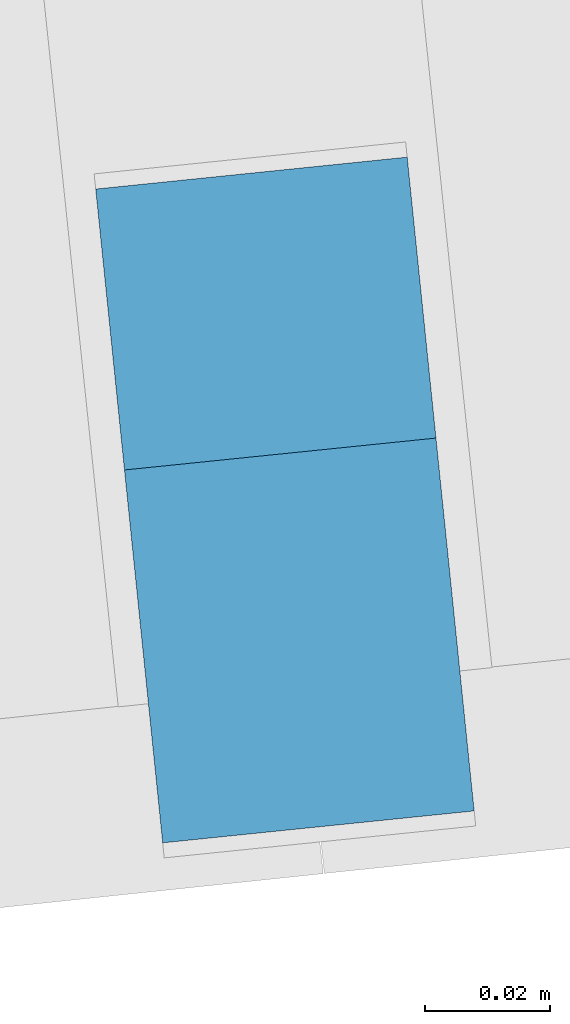
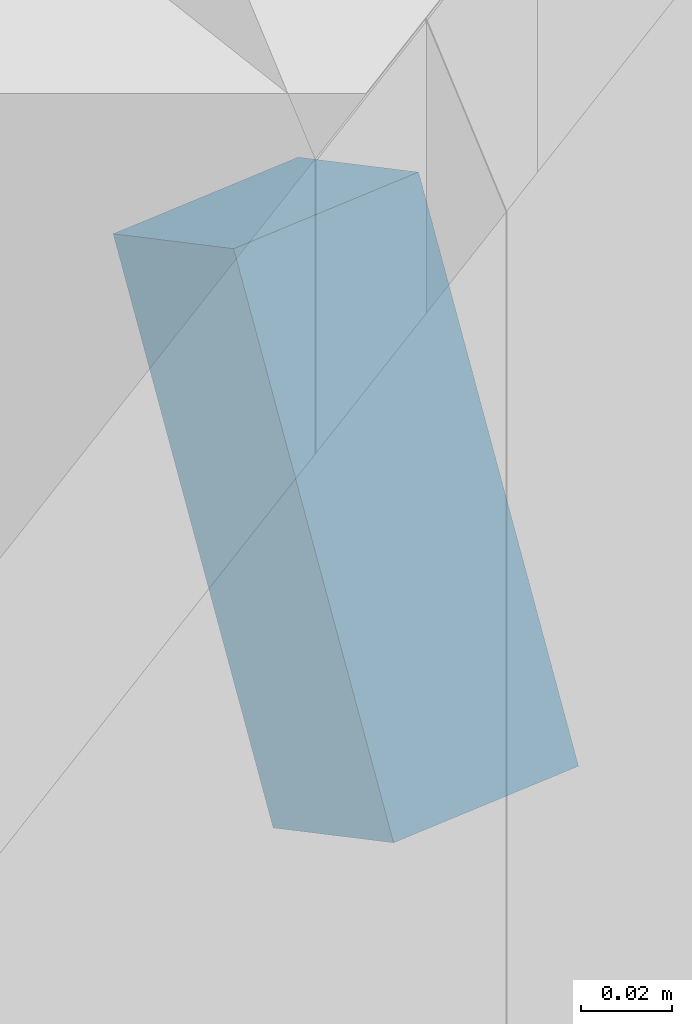
# One storey, part 29 of 41: 1 discrete accessory.
"""IFC4 building model written with IfcOpenShell, lengths in metres."""

import ifcopenshell
import ifcopenshell.guid

model = None  # the IFC model being written
_history = None  # IfcOwnerHistory: only IFC2X3 demands one
_inside = {}  # id of a spatial element -> (the spatial element, [elements in it])
_under = {}  # id of a project, library or spatial element -> (it, [spatial elements below it])
_declared = {}  # id of a project -> (the project, [libraries it declares])
_typed = {}  # id of a type object -> (the type object, [elements of that type])
_made_of = {}  # id of a material, layer set ... -> (it, [elements and type objects made of it])


def new_model(schema):
    """Start an empty IFC model of exactly this schema.

    Asked for "IFC4X3", IfcOpenShell would pick the latest addendum, in which some entities
    have other attributes; the version numbers below select the first issue.
    IFC2X3 requires an IfcOwnerHistory on every rooted entity: one is made here for all.
    """
    global model, _history
    if schema == "IFC4X3":
        model = ifcopenshell.file(schema_version=(4, 3, 0, 0))
    else:
        model = ifcopenshell.file(schema=schema)
    _inside.clear()
    _under.clear()
    _declared.clear()
    _typed.clear()
    _made_of.clear()
    _history = None
    if model.schema == "IFC2X3":
        org = make("IfcOrganization", Name="unknown")
        user = make(
            "IfcPersonAndOrganization",
            ThePerson=make("IfcPerson", FamilyName="unknown"),
            TheOrganization=org,
        )
        app = make(
            "IfcApplication",
            ApplicationDeveloper=org,
            Version="unknown",
            ApplicationFullName="unknown",
            ApplicationIdentifier="unknown",
        )
        _history = make(
            "IfcOwnerHistory",
            OwningUser=user,
            OwningApplication=app,
            ChangeAction="ADDED",
            CreationDate=0,
        )
    return model


def make(cls, **values):
    """One entity of the class cls with the attributes given. An attribute that is None is left unset."""
    return model.create_entity(
        cls, **{name: value for name, value in values.items() if value is not None}
    )


def rooted(cls, **values):
    """An entity with a GlobalId (a new one), such as an element, a storey or a relation."""
    return make(cls, GlobalId=ifcopenshell.guid.new(), OwnerHistory=_history, **values)


def si_unit(unit_type, name, prefix=None):
    """IfcSIUnit, for example si_unit("LENGTHUNIT", "METRE", prefix="MILLI")."""
    return make("IfcSIUnit", UnitType=unit_type, Prefix=prefix, Name=name)


def assignment(units):
    """IfcUnitAssignment: the units of a project."""
    return None if units is None else make("IfcUnitAssignment", Units=units)


def point(xyz):
    """IfcCartesianPoint."""
    return None if xyz is None else make("IfcCartesianPoint", Coordinates=xyz)


def direction(xyz):
    """IfcDirection."""
    return None if xyz is None else make("IfcDirection", DirectionRatios=xyz)


def frame(location, z_axis=None, x_axis=None):
    """IfcAxis2Placement3D, a coordinate frame: its origin and axes. An axis left out is left unset."""
    return make(
        "IfcAxis2Placement3D",
        Location=point(location),
        Axis=direction(z_axis),
        RefDirection=direction(x_axis),
    )


def frame_2d(location, x_axis=None):
    """IfcAxis2Placement2D, a coordinate frame in the plane: its origin and x axis."""
    return make(
        "IfcAxis2Placement2D", Location=point(location), RefDirection=direction(x_axis)
    )


def origin():
    """The frame at (0, 0, 0) with its axes left unset."""
    return frame((0.0, 0.0, 0.0))


def origin_2d():
    """The frame at (0, 0) in the plane with its x axis left unset."""
    return frame_2d((0.0, 0.0))


def place(relative_to, where):
    """IfcLocalPlacement: puts the frame where relative to a parent placement (None: the world)."""
    return make(
        "IfcLocalPlacement", PlacementRelTo=relative_to, RelativePlacement=where
    )


def context(
    kind, dimensions, precision=None, world=None, true_north=None, identifier=None
):
    """IfcGeometricRepresentationContext, for example the 3D "Model" context."""
    return make(
        "IfcGeometricRepresentationContext",
        ContextIdentifier=identifier,
        ContextType=kind,
        CoordinateSpaceDimension=dimensions,
        Precision=precision,
        WorldCoordinateSystem=world,
        TrueNorth=true_north,
    )


def subcontext(parent, identifier, kind, view, scale=None):
    """IfcGeometricRepresentationSubContext, for example "Body" below "Model"."""
    return make(
        "IfcGeometricRepresentationSubContext",
        ContextIdentifier=identifier,
        ContextType=kind,
        ParentContext=parent,
        TargetScale=scale,
        TargetView=view,
    )


def project(units=None, contexts=None):
    """IfcProject with its units and contexts."""
    return rooted(
        "IfcProject",
        Name="project",
        RepresentationContexts=contexts,
        UnitsInContext=assignment(units),
    )


def spatial(cls, under=None, at=None, **own):
    """A site, building, storey or space (cls), placed at a placement, below another one or the project."""
    s = rooted(cls, ObjectPlacement=at, **own)
    if under is not None:
        _under.setdefault(under.id(), (under, []))[1].append(s)
    return s


def profile(cls, at=None, kind="AREA", **sizes):
    """A parametric profile (cls). Its sizes go by their IFC names, for example OverallWidth=200.0."""
    return make(cls, ProfileType=kind, Position=at, **sizes)


def rectangle(**sizes):
    """IfcRectangleProfileDef."""
    return profile("IfcRectangleProfileDef", **sizes)


def extrude(swept, where, along, depth):
    """IfcExtrudedAreaSolid: the profile swept, set in the frame where, extruded along a direction by depth."""
    return make(
        "IfcExtrudedAreaSolid",
        SweptArea=swept,
        Position=where,
        ExtrudedDirection=direction(along),
        Depth=depth,
    )


def shape(context_of_items, identifier, shape_type, items):
    """IfcShapeRepresentation: the items that make up one representation, for example the "Body"."""
    return make(
        "IfcShapeRepresentation",
        ContextOfItems=context_of_items,
        RepresentationIdentifier=identifier,
        RepresentationType=shape_type,
        Items=items,
    )


def material(Name=None, Category=None):
    """IfcMaterial."""
    return make("IfcMaterial", Name=Name, Category=Category)


def material_profile(
    of_material, cross_section, Name=None, Category=None, Priority=None
):
    """IfcMaterialProfile: a cross section and its material."""
    return make(
        "IfcMaterialProfile",
        Name=Name,
        Material=of_material,
        Profile=cross_section,
        Priority=Priority,
        Category=Category,
    )


def profile_set(profiles, Name=None, composite=None):
    """IfcMaterialProfileSet."""
    return make(
        "IfcMaterialProfileSet",
        Name=Name,
        MaterialProfiles=profiles,
        CompositeProfile=composite,
    )


def made_of(thing, what):
    """Note that an element or type object is made of a material, layer set ...; save() writes the relation."""
    if what is not None:
        _made_of.setdefault(what.id(), (what, []))[1].append(thing)
    return thing


def type_object(cls, material=None, **own):
    """A type object (cls), such as IfcWallType, which elements share."""
    return made_of(rooted(cls, **own), material)


def element(
    cls,
    number,
    at=None,
    inside=None,
    cuts=None,
    type_object=None,
    material=None,
    context=None,
    identifier="Body",
    shape_type=None,
    held_by="IfcProductDefinitionShape",
    body=None,
    shapes=None,
    **own,
):
    """One element of the class cls, such as IfcWall. Its Tag is "e" and its number.

    at: its placement. inside: the storey or other place that contains it. cuts: it is an
    opening in that element (IfcRelVoidsElement). A single representation is given by context,
    identifier, shape_type and body (its items); several are given by shapes. held_by: the class
    of the entity that holds the representations. save() writes the other relations.
    """
    e = rooted(cls, Tag="e%d" % number, ObjectPlacement=at, **own)
    if body is not None:
        shapes = [shape(context, identifier, shape_type, body)]
    if shapes is not None:
        e.Representation = make(held_by, Representations=shapes)
    if inside is not None:
        _inside.setdefault(inside.id(), (inside, []))[1].append(e)
    if cuts is not None:
        rooted(
            "IfcRelVoidsElement", RelatingBuildingElement=cuts, RelatedOpeningElement=e
        )
    if type_object is not None:
        _typed.setdefault(type_object.id(), (type_object, []))[1].append(e)
    return made_of(e, material)


def aggregate(whole, parts):
    """IfcRelAggregates: a whole, such as a stair, and the parts it consists of."""
    return rooted("IfcRelAggregates", RelatingObject=whole, RelatedObjects=parts)


def save(model, path):
    """Write the relations noted so far, then the file.

    IfcRelAggregates (storeys below a building ...), IfcRelContainedInSpatialStructure (elements
    in a storey), IfcRelDefinesByType, IfcRelAssociatesMaterial and IfcRelDeclares: one each for
    every whole, place, type object, material and project.
    """
    for whole, parts in _under.values():
        aggregate(whole, parts)
    for where, things in _inside.values():
        rooted(
            "IfcRelContainedInSpatialStructure",
            RelatedElements=things,
            RelatingStructure=where,
        )
    for kind, things in _typed.values():
        rooted("IfcRelDefinesByType", RelatedObjects=things, RelatingType=kind)
    for what, things in _made_of.values():
        rooted("IfcRelAssociatesMaterial", RelatedObjects=things, RelatingMaterial=what)
    for by, libraries in _declared.values():
        rooted("IfcRelDeclares", RelatingContext=by, RelatedDefinitions=libraries)
    model.write(path)


model = new_model("IFC4")

# Units and contexts
model_context = context("Model", 3, precision=1e-05, world=origin(), true_north=direction((0.0, 1.0)))
body_context = subcontext(model_context, "Body", "Model", "MODEL_VIEW")
ifc_project = project(units=[si_unit("LENGTHUNIT", "METRE"), si_unit("AREAUNIT", "SQUARE_METRE"), si_unit("VOLUMEUNIT", "CUBIC_METRE"), si_unit("PLANEANGLEUNIT", "RADIAN"), si_unit("MASSUNIT", "GRAM", prefix="KILO")], contexts=[model_context])

# Site, building, storey
site_placement = place(None, origin())
site = spatial("IfcSite", under=ifc_project, at=site_placement, CompositionType="ELEMENT")
building_placement = place(site_placement, origin())
building = spatial("IfcBuilding", under=site, at=building_placement, Name="Hakoniwa Tower and Hamabe Station Hall", CompositionType="ELEMENT")
storey_placement = place(building_placement, frame((0.0, 0.0, 276.60009765625)))
storey = spatial("IfcBuildingStorey", under=building, at=storey_placement, Name="L77", CompositionType="ELEMENT", Elevation=276.60009765625)

# Discrete accessory
ifc_material = material(Name="Stainless steel SUS304", Category="steel")
ifc_material_profile = material_profile(ifc_material, rectangle(XDim=0.050048828125, YDim=0.050048828125, at=origin_2d()), Name="CW-4 GLAZING BRACKET 50X50")
ifc_profile_set = profile_set([ifc_material_profile], Name="Stainless steel SUS304")
discrete_accessory_type = type_object("IfcDiscreteAccessoryType", Name="CW-4 GLAZING BRACKET 50X50", PredefinedType="BRACKET", material=ifc_profile_set)
discrete_accessory_placement = place(storey_placement, frame((-10.1982421875, -15.876708984375, 4.099853515625), z_axis=(0.044035860496, -0.429789998446, -0.901854422968), x_axis=(0.994792043555, 0.101925414299, 0.0)))
element("IfcDiscreteAccessory", 1, at=discrete_accessory_placement, inside=storey, type_object=discrete_accessory_type, Name="Glazing bracket", PredefinedType="BRACKET", context=body_context, shape_type="SweptSolid", body=[
    extrude(rectangle(XDim=0.050048828125, YDim=0.050048828125, at=origin_2d()), origin(), (0.0, 0.0, 1.0), 0.138671875),
])

save(model, "model.ifc")
